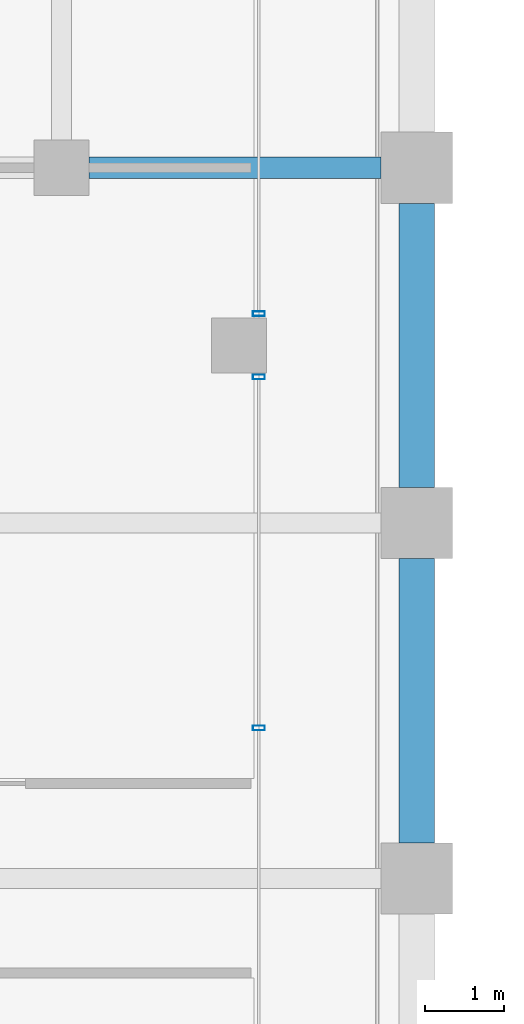
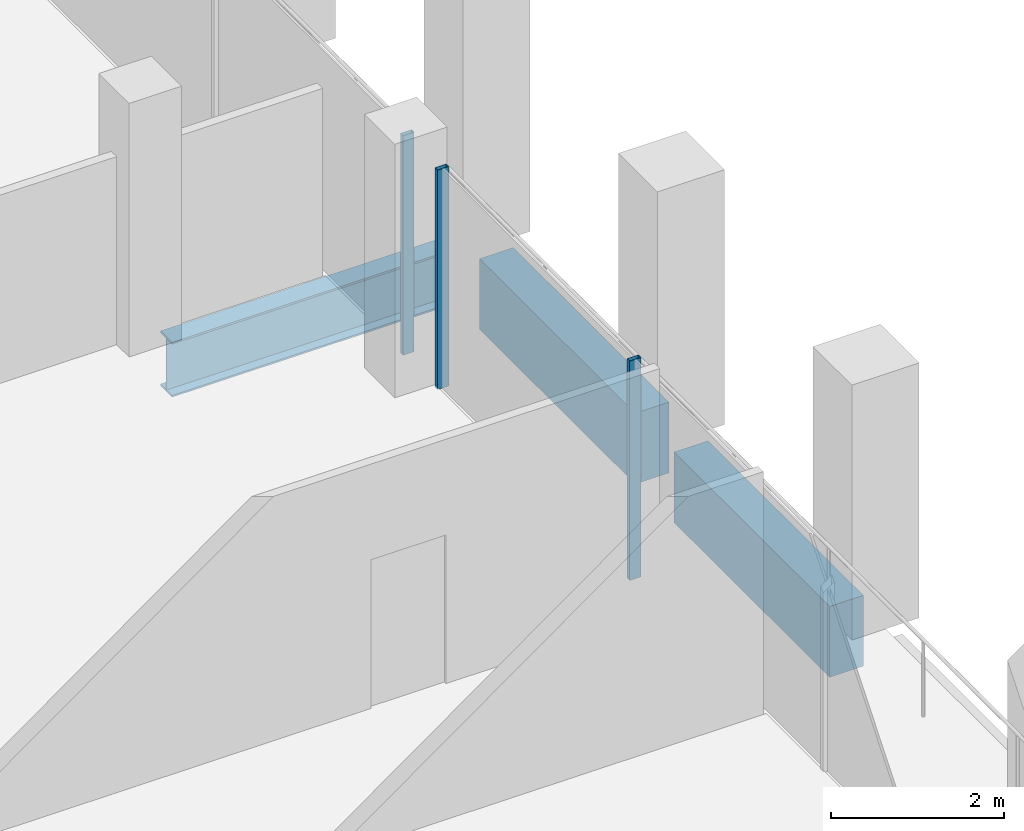
# One storey, part 19 of 40: 3 beams, 3 members, 2 elements without a shape of their own.
"""IFC4 building model written with IfcOpenShell, lengths in metres."""

from ifc_helpers import new_model, si_unit, direction, frame, origin, origin_2d, place, context, subcontext, project, spatial, rectangle, hollow_rectangle, i_section, extrude, material, material_profile, profile_set, type_object, element, aggregate, save


model = new_model("IFC4")

# Units and contexts
model_context = context("Model", 3, precision=1e-05, world=origin(), true_north=direction((0.0, 1.0)))
body_context = subcontext(model_context, "Body", "Model", "MODEL_VIEW")
ifc_project = project(units=[si_unit("LENGTHUNIT", "METRE"), si_unit("AREAUNIT", "SQUARE_METRE"), si_unit("VOLUMEUNIT", "CUBIC_METRE"), si_unit("PLANEANGLEUNIT", "RADIAN"), si_unit("MASSUNIT", "GRAM", prefix="KILO")], contexts=[model_context])

# Site, building, storey
site_placement = place(None, origin())
site = spatial("IfcSite", under=ifc_project, at=site_placement, CompositionType="ELEMENT")
building_placement = place(site_placement, origin())
building = spatial("IfcBuilding", under=site, at=building_placement, Name="Altepetl Exchange Towers", CompositionType="ELEMENT")
storey_placement = place(building_placement, frame((0.0, 0.0, 172.60009765625)))
storey = spatial("IfcBuildingStorey", under=building, at=storey_placement, Name="L43", CompositionType="ELEMENT", Elevation=172.60009765625)

# Beam
ifc_material_1 = material(Name="Steel S355", Category="steel")
ifc_material_profile_1 = material_profile(ifc_material_1, i_section(OverallWidth=0.26806640625, OverallDepth=0.77392578125, WebThickness=0.015380859375, FlangeThickness=0.025390625, at=origin_2d()), Name="W30X132")
ifc_profile_set_1 = profile_set([ifc_material_profile_1], Name="Steel S355")
beam_type_1 = type_object("IfcBeamType", Name="Girder W30X132", PredefinedType="BEAM", material=ifc_profile_set_1)
beam_placement = place(storey_placement, frame((67.85009765625, 58.5, -0.537109375), z_axis=(1.0, 0.0, 0.0), x_axis=(0.0, 1.0, 0.0)))
element("IfcBeam", 1, at=beam_placement, inside=storey, type_object=beam_type_1, Name="gd:A:L43:002", PredefinedType="BEAM", context=body_context, shape_type="SweptSolid", body=[
    extrude(i_section(OverallWidth=0.26806640625, OverallDepth=0.77392578125, WebThickness=0.015380859375, FlangeThickness=0.025390625, at=origin_2d()), origin(), (0.0, 0.0, 1.0), 3.699951171875),
])

# Curtain wall, members
ifc_material_2 = material(Name="Aluminium 6063-T6 glazing", Category="aluminium")
curtain_wall_type = type_object("IfcCurtainWallType", Name="Loggia glazing system", PredefinedType="NOTDEFINED", material=ifc_material_2)
curtain_wall_1_placement = place(storey_placement, origin())
curtain_wall_1 = element("IfcCurtainWall", 2, at=curtain_wall_1_placement, inside=storey, type_object=curtain_wall_type, Name="CW1 run", PredefinedType="NOTDEFINED")
ifc_material_3 = material(Name="Aluminium 6063-T6", Category="aluminium")
ifc_material_profile_2 = material_profile(ifc_material_3, hollow_rectangle(XDim=0.06005859375, YDim=0.14990234375, WallThickness=0.0029296875, at=origin_2d()), Name="Mullion 60x150 aluminium")
ifc_profile_set_2 = profile_set([ifc_material_profile_2], Name="Aluminium 6063-T6")
member_type = type_object("IfcMemberType", Name="Mullion 60x150 aluminium", PredefinedType="MULLION", material=ifc_profile_set_2)
member_1_placement = place(storey_placement, frame((70.0, 51.404052734375, 0.0), z_axis=(0.0, 0.0, 1.0), x_axis=(0.0, 1.0, 0.0)))
member_1 = element("IfcMember", 3, at=member_1_placement, type_object=member_type, Name="MU1 mullion", PredefinedType="MULLION", context=body_context, shape_type="SweptSolid", body=[
    extrude(hollow_rectangle(XDim=0.06005859375, YDim=0.14990234375, WallThickness=0.0029296875, at=origin_2d()), origin(), (0.0, 0.0, 1.0), 3.099853515625),
])
member_2_placement = place(storey_placement, frame((70.0, 55.85009765625, 0.0), z_axis=(0.0, 0.0, 1.0), x_axis=(0.0, 1.0, 0.0)))
member_2 = element("IfcMember", 4, at=member_2_placement, type_object=member_type, Name="MU1 mullion", PredefinedType="MULLION", context=body_context, shape_type="SweptSolid", body=[
    extrude(hollow_rectangle(XDim=0.06005859375, YDim=0.14990234375, WallThickness=0.0029296875, at=origin_2d()), origin(), (0.0, 0.0, 1.0), 3.099853515625),
])
aggregate(curtain_wall_1, [member_1, member_2])

# Curtain wall, member
curtain_wall_2_placement = place(storey_placement, origin())
curtain_wall_2 = element("IfcCurtainWall", 5, at=curtain_wall_2_placement, inside=storey, type_object=curtain_wall_type, Name="CW1 run", PredefinedType="NOTDEFINED")
member_3_placement = place(storey_placement, frame((70.0, 56.64990234375, 0.0), z_axis=(0.0, 0.0, 1.0), x_axis=(0.0, 1.0, 0.0)))
member_3 = element("IfcMember", 6, at=member_3_placement, type_object=member_type, Name="MU1 mullion", PredefinedType="MULLION", context=body_context, shape_type="SweptSolid", body=[
    extrude(hollow_rectangle(XDim=0.06005859375, YDim=0.14990234375, WallThickness=0.0029296875, at=origin_2d()), origin(), (0.0, 0.0, 1.0), 3.099853515625),
])
aggregate(curtain_wall_2, [member_3])

# Beams
ifc_material_4 = material(Name="Concrete C50/60 precast with cantera amarilla facing", Category="concrete")
ifc_material_profile_3 = material_profile(ifc_material_4, rectangle(XDim=0.449951171875, YDim=1.0, at=origin_2d()), Name="450 x 1000")
ifc_profile_set_3 = profile_set([ifc_material_profile_3], Name="Concrete C50/60 precast with cantera amarilla facing")
beam_type_2 = type_object("IfcBeamType", Name="Spandrel beam 450x1000 cantera amarilla", PredefinedType="SPANDREL", material=ifc_profile_set_3)
for number, where, z_axis, x_axis, name in (
    (7, (72.0, 49.949951171875, -0.650146484375), (0.0, 1.0, 0.0), (-1.0, 0.0, 0.0), "sp:A:L43:016"),
    (8, (72.0, 54.449951171875, -0.650146484375), (0.0, 1.0, 0.0), (-1.0, 0.0, 0.0), "sp:A:L43:017"),
):
    element("IfcBeam", number, at=place(storey_placement, frame(where, z_axis=z_axis, x_axis=x_axis)), inside=storey, type_object=beam_type_2, Name=name, PredefinedType="SPANDREL", context=body_context, shape_type="SweptSolid", body=[
        extrude(rectangle(XDim=0.449951171875, YDim=1.0, at=origin_2d()), origin(), (0.0, 0.0, 1.0), 3.60009765625),
    ])

save(model, "model.ifc")
